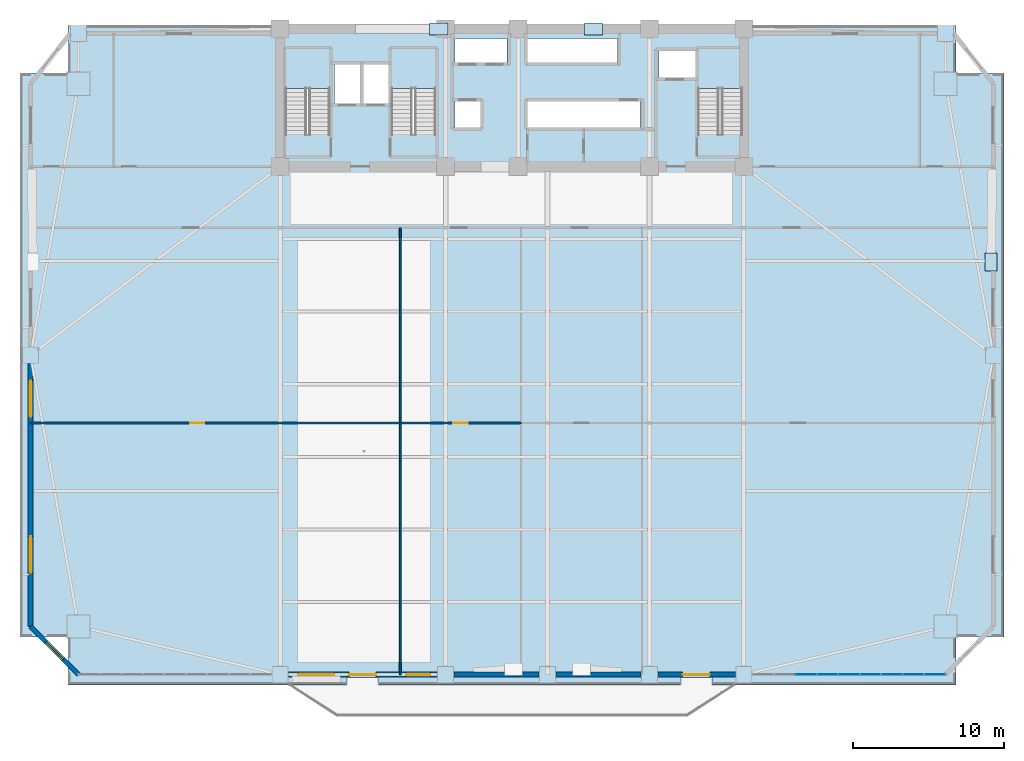
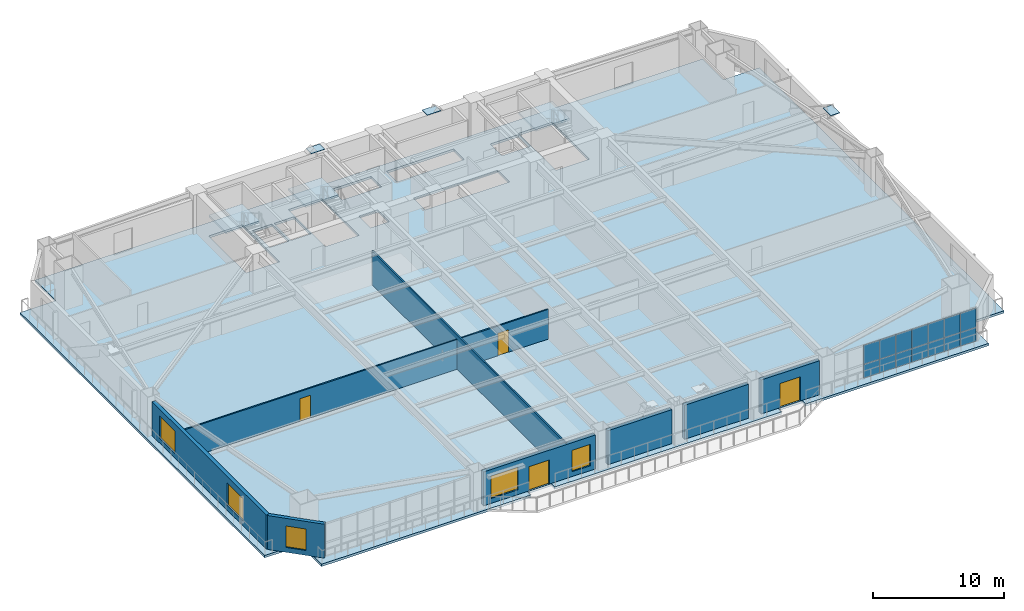
# One storey, part 8 of 17: 17 plates, 9 walls, 5 windows, 4 doors, 4 slabs, 9 openings, 4 elements without a shape of their own.
"""IFC4 building model written with IfcOpenShell, lengths in metres."""

from ifc_helpers import new_model, si_unit, direction, frame, frame_2d, origin, origin_2d, place, context, subcontext, project, spatial, polyline, rectangle, outline, extrude, source, transform, mapped, material, layer, layer_set, type_object, element, fill, aggregate, save


model = new_model("IFC4")

# Units and contexts
model_context = context("Model", 3, precision=1e-05, world=origin(), true_north=direction((0.0, 1.0)))
body_context = subcontext(model_context, "Body", "Model", "MODEL_VIEW")
ifc_project = project(units=[si_unit("LENGTHUNIT", "METRE"), si_unit("AREAUNIT", "SQUARE_METRE"), si_unit("VOLUMEUNIT", "CUBIC_METRE"), si_unit("PLANEANGLEUNIT", "RADIAN"), si_unit("MASSUNIT", "GRAM", prefix="KILO")], contexts=[model_context])

# Site, building, storey
site_placement = place(None, origin())
site = spatial("IfcSite", under=ifc_project, at=site_placement, CompositionType="ELEMENT")
building_placement = place(site_placement, origin())
building = spatial("IfcBuilding", under=site, at=building_placement, Name="Giltprow Tower", CompositionType="ELEMENT")
storey_placement = place(building_placement, frame((0.0, 0.0, 41.0)))
storey = spatial("IfcBuildingStorey", under=building, at=storey_placement, Name="L10", CompositionType="ELEMENT", Elevation=41.0)

# Slab
ifc_material_1 = material(Name="Concrete C40", Category="concrete")
ifc_layer_1 = layer(ifc_material_1, 0.219970703125, Name="Concrete C40")
ifc_layer_set_1 = layer_set([ifc_layer_1], Name="Concrete C40")
slab_type_1 = type_object("IfcSlabType", Name="SLB-OFF-220", PredefinedType="FLOOR", material=ifc_layer_set_1)
slab_1_placement = place(storey_placement, frame((0.0, 0.0, -0.219970703125)))
element("IfcSlab", 1, at=slab_1_placement, inside=storey, type_object=slab_type_1, Name="L10 Structural Composite Floor Slab", PredefinedType="FLOOR", context=body_context, shape_type="SweptSolid", body=[
    extrude(outline(polyline([(5.80908203125, 3.126953125), (5.80908203125, 6.300048828125), (2.635009765625, 6.300048828125), (2.635009765625, 43.6259765625), (5.80908203125, 43.6259765625), (5.80908203125, 46.800048828125), (64.591064453125, 46.800048828125), (64.591064453125, 43.6259765625), (67.764892578125, 43.6259765625), (67.764892578125, 6.300048828125), (64.591064453125, 6.300048828125), (64.591064453125, 3.126953125), (48.449951171875, 3.126953125), (48.449951171875, 3.64697265625), (46.35009765625, 3.64697265625), (46.35009765625, 3.126953125), (26.35009765625, 3.126953125), (26.35009765625, 3.64697265625), (24.25, 3.64697265625), (24.25, 3.126953125), (5.80908203125, 3.126953125)]), holes=[polyline([(33.10009765625, 41.800048828125), (31.419921875, 41.800048828125), (31.419921875, 40.0), (33.10009765625, 40.0), (33.10009765625, 41.800048828125)]), polyline([(23.159912109375, 39.570068359375), (23.159912109375, 45.25), (20.199951171875, 45.25), (20.199951171875, 39.570068359375), (23.159912109375, 39.570068359375)]), polyline([(30.159912109375, 45.25), (27.199951171875, 45.25), (27.199951171875, 39.570068359375), (30.159912109375, 39.570068359375), (30.159912109375, 45.25)]), polyline([(25.169921875, 41.60009765625), (25.169921875, 44.199951171875), (23.449951171875, 44.199951171875), (23.449951171875, 41.60009765625), (25.169921875, 41.60009765625)]), polyline([(27.10009765625, 41.60009765625), (27.10009765625, 44.199951171875), (25.35009765625, 44.199951171875), (25.35009765625, 41.60009765625), (27.10009765625, 41.60009765625)]), polyline([(43.659912109375, 40.0), (43.659912109375, 41.800048828125), (36.239990234375, 41.800048828125), (36.239990234375, 40.0), (43.659912109375, 40.0)]), polyline([(50.4599609375, 39.570068359375), (50.4599609375, 45.25), (47.5, 45.25), (47.5, 39.570068359375), (50.4599609375, 39.570068359375)]), polyline([(47.3798828125, 45.10009765625), (44.919921875, 45.10009765625), (44.919921875, 43.300048828125), (47.3798828125, 43.300048828125), (47.3798828125, 45.10009765625)]), polyline([(34.8798828125, 44.300048828125), (34.8798828125, 45.919921875), (31.419921875, 45.919921875), (31.419921875, 44.300048828125), (34.8798828125, 44.300048828125)]), polyline([(42.169921875, 44.300048828125), (42.169921875, 45.919921875), (36.239990234375, 45.919921875), (36.239990234375, 44.300048828125), (42.169921875, 44.300048828125)])]), origin(), (0.0, 0.0, 1.0), 0.219970703125),
])

# Stair, slab
stair_type_1 = type_object("IfcStairType", Name="STR-ST-1", PredefinedType="HALF_TURN_STAIR", material=ifc_material_1)
stair_1_placement = place(storey_placement, origin())
stair_1 = element("IfcStair", 2, at=stair_1_placement, inside=storey, type_object=stair_type_1, Name="L10 Core Exit Stair ST-1", PredefinedType="HALF_TURN_STAIR")
ifc_layer_2 = layer(ifc_material_1, 0.179931640625, Name="Concrete C40")
ifc_layer_set_2 = layer_set([ifc_layer_2], Name="Concrete C40")
slab_type_2 = type_object("IfcSlabType", Name="SLD-ST-1", PredefinedType="LANDING", material=ifc_layer_set_2)
slab_2_placement = place(storey_placement, frame((0.0, 0.0, 1.77001953125)))
slab_2 = element("IfcSlab", 3, at=slab_2_placement, type_object=slab_type_2, Name="ST-1 landing 1", PredefinedType="LANDING", context=body_context, shape_type="SweptSolid", body=[
    extrude(outline(polyline([(23.159912109375, 42.6298828125), (23.159912109375, 45.25), (20.199951171875, 45.25), (20.199951171875, 42.6298828125), (23.159912109375, 42.6298828125)])), origin(), (0.0, 0.0, 1.0), 0.179931640625),
])
aggregate(stair_1, [slab_2])

stair_type_2 = type_object("IfcStairType", Name="STR-ST-2", PredefinedType="HALF_TURN_STAIR", material=ifc_material_1)
stair_2_placement = place(storey_placement, origin())
stair_2 = element("IfcStair", 4, at=stair_2_placement, inside=storey, type_object=stair_type_2, Name="L10 Core Exit Stair ST-2", PredefinedType="HALF_TURN_STAIR")
ifc_layer_3 = layer(ifc_material_1, 0.18798828125, Name="Concrete C40")
ifc_layer_set_3 = layer_set([ifc_layer_3], Name="Concrete C40")
slab_type_3 = type_object("IfcSlabType", Name="SLD-ST-2", PredefinedType="LANDING", material=ifc_layer_set_3)
slab_3_placement = place(storey_placement, frame((0.0, 0.0, 1.761962890625)))
slab_3 = element("IfcSlab", 5, at=slab_3_placement, type_object=slab_type_3, Name="ST-2 landing 1", PredefinedType="LANDING", context=body_context, shape_type="SweptSolid", body=[
    extrude(outline(polyline([(30.159912109375, 42.6298828125), (30.159912109375, 45.25), (27.199951171875, 45.25), (27.199951171875, 42.6298828125), (30.159912109375, 42.6298828125)])), origin(), (0.0, 0.0, 1.0), 0.18798828125),
])
aggregate(stair_2, [slab_3])

stair_type_3 = type_object("IfcStairType", Name="STR-ST-3", PredefinedType="HALF_TURN_STAIR", material=ifc_material_1)
stair_3_placement = place(storey_placement, origin())
stair_3 = element("IfcStair", 6, at=stair_3_placement, inside=storey, type_object=stair_type_3, Name="L10 Core Exit Stair ST-3", PredefinedType="HALF_TURN_STAIR")
ifc_layer_4 = layer(ifc_material_1, 0.196044921875, Name="Concrete C40")
ifc_layer_set_4 = layer_set([ifc_layer_4], Name="Concrete C40")
slab_type_4 = type_object("IfcSlabType", Name="SLD-ST-3", PredefinedType="LANDING", material=ifc_layer_set_4)
slab_4_placement = place(storey_placement, frame((0.0, 0.0, 1.75390625)))
slab_4 = element("IfcSlab", 7, at=slab_4_placement, type_object=slab_type_4, Name="ST-3 landing 1", PredefinedType="LANDING", context=body_context, shape_type="SweptSolid", body=[
    extrude(outline(polyline([(50.4599609375, 42.6298828125), (50.4599609375, 45.25), (47.5, 45.25), (47.5, 42.6298828125), (50.4599609375, 42.6298828125)])), origin(), (0.0, 0.0, 1.0), 0.196044921875),
])
aggregate(stair_3, [slab_4])

# Plates
ifc_material_2 = material(Name="Structural steel Q420GJC", Category="steel")
plate_type_1 = type_object("IfcPlateType", Name="PLT-CAP-SEAL", PredefinedType="USERDEFINED", material=ifc_material_2)
shared_shape_1 = source(origin(), body_context, "Body", "SweptSolid", [
    extrude(rectangle(XDim=1.199951171875, YDim=0.800048828125, at=origin_2d()), origin(), (0.0, 0.0, 1.0), 0.034912109375),
])
for number, where, z_axis, x_axis, name in (
    (8, (30.35009765625, 46.550048828125, 3.74267578125), (0.0, 0.0, 1.0), (1.0, 0.0, 0.0), "Mega-Brace Node L10-N-LB"),
    (9, (40.5830078125, 46.550048828125, 3.74267578125), (0.0, 0.0, 1.0), (1.0, 0.0, 0.0), "Mega-Brace Node L10-N-RB"),
    (10, (66.907958984375, 31.126953125, 3.88232421875), (0.0, 0.0, 1.0), (0.0, 1.0, 0.0), "Mega-Brace Node L10-E-RB"),
):
    element("IfcPlate", number, at=place(storey_placement, frame(where, z_axis=z_axis, x_axis=x_axis)), inside=storey, type_object=plate_type_1, Name=name, ObjectType="SPLICE", PredefinedType="USERDEFINED", context=body_context, shape_type="MappedRepresentation", body=[
        mapped(shared_shape_1, transform((0.0, 0.0, 0.0), x_axis=(1.0, 0.0, 0.0), y_axis=(0.0, 1.0, 0.0), z_axis=(0.0, 0.0, 1.0), scale=1.0)),
    ])

# Curtain wall, plates
ifc_material_3 = material(Name="Anodized bronze", Category="metal")
ifc_layer_5 = layer(ifc_material_3, 0.179931640625, Name="Anodized bronze")
ifc_layer_set_5 = layer_set([ifc_layer_5], Name="Anodized bronze")
curtain_wall_type = type_object("IfcCurtainWallType", Name="CW-OFF-RECESSED", PredefinedType="NOTDEFINED", material=ifc_layer_set_5)
curtain_wall_placement = place(storey_placement, origin())
curtain_wall = element("IfcCurtainWall", 11, at=curtain_wall_placement, inside=storey, type_object=curtain_wall_type, Name="L10 South Recessed Curtain Wall 6", PredefinedType="NOTDEFINED")
ifc_material_4 = material(Name="Insulated glass", Category="glass")
plate_type_2 = type_object("IfcPlateType", Name="CW-PANEL-IGU-28", PredefinedType="CURTAIN_PANEL", material=ifc_material_4)
shared_shape_2 = source(origin(), body_context, "Body", "SweptSolid", [
    extrude(rectangle(XDim=1.39111328125, YDim=0.028076171875, at=origin_2d()), origin(), (0.0, 0.0, 1.0), 1.259033203125),
])
plate_1_placement = place(storey_placement, frame((54.653076171875, 3.826904296875, 0.0537109375), z_axis=(0.0, 0.0, 1.0), x_axis=(1.0, 0.0, 0.0)))
plate_1 = element("IfcPlate", 12, at=plate_1_placement, type_object=plate_type_2, Name="L10 South Recessed Curtain Wall 6 Glazing Panel 3-1", PredefinedType="CURTAIN_PANEL", context=body_context, shape_type="MappedRepresentation", body=[
    mapped(shared_shape_2, transform((0.0, 0.0, 0.0), x_axis=(1.0, 0.0, 0.0), y_axis=(0.0, 1.0, 0.0), z_axis=(0.0, 0.0, 1.0), scale=1.0)),
])
plate_2_placement = place(storey_placement, frame((56.073974609375, 3.826904296875, 0.0537109375), z_axis=(0.0, 0.0, 1.0), x_axis=(1.0, 0.0, 0.0)))
plate_2 = element("IfcPlate", 13, at=plate_2_placement, type_object=plate_type_2, Name="L10 South Recessed Curtain Wall 6 Glazing Panel 4-1", PredefinedType="CURTAIN_PANEL", context=body_context, shape_type="MappedRepresentation", body=[
    mapped(shared_shape_2, transform((0.0, 0.0, 0.0), x_axis=(1.0, 0.0, 0.0), y_axis=(0.0, 1.0, 0.0), z_axis=(0.0, 0.0, 1.0), scale=1.0)),
])
plate_3_placement = place(storey_placement, frame((57.4951171875, 3.826904296875, 0.0537109375), z_axis=(0.0, 0.0, 1.0), x_axis=(1.0, 0.0, 0.0)))
plate_3 = element("IfcPlate", 14, at=plate_3_placement, type_object=plate_type_2, Name="L10 South Recessed Curtain Wall 6 Glazing Panel 5-1", PredefinedType="CURTAIN_PANEL", context=body_context, shape_type="MappedRepresentation", body=[
    mapped(shared_shape_2, transform((0.0, 0.0, 0.0), x_axis=(1.0, 0.0, 0.0), y_axis=(0.0, 1.0, 0.0), z_axis=(0.0, 0.0, 1.0), scale=1.0)),
])
plate_4_placement = place(storey_placement, frame((58.9169921875, 3.826904296875, 0.0537109375), z_axis=(0.0, 0.0, 1.0), x_axis=(1.0, 0.0, 0.0)))
plate_4 = element("IfcPlate", 15, at=plate_4_placement, type_object=plate_type_2, Name="L10 South Recessed Curtain Wall 6 Glazing Panel 6-1", PredefinedType="CURTAIN_PANEL", context=body_context, shape_type="MappedRepresentation", body=[
    mapped(shared_shape_2, transform((0.0, 0.0, 0.0), x_axis=(1.0, 0.0, 0.0), y_axis=(0.0, 1.0, 0.0), z_axis=(0.0, 0.0, 1.0), scale=1.0)),
])
plate_5_placement = place(storey_placement, frame((60.337890625, 3.826904296875, 0.0537109375), z_axis=(0.0, 0.0, 1.0), x_axis=(1.0, 0.0, 0.0)))
plate_5 = element("IfcPlate", 16, at=plate_5_placement, type_object=plate_type_2, Name="L10 South Recessed Curtain Wall 6 Glazing Panel 7-1", PredefinedType="CURTAIN_PANEL", context=body_context, shape_type="MappedRepresentation", body=[
    mapped(shared_shape_2, transform((0.0, 0.0, 0.0), x_axis=(1.0, 0.0, 0.0), y_axis=(0.0, 1.0, 0.0), z_axis=(0.0, 0.0, 1.0), scale=1.0)),
])
plate_6_placement = place(storey_placement, frame((61.759033203125, 3.826904296875, 0.0537109375), z_axis=(0.0, 0.0, 1.0), x_axis=(1.0, 0.0, 0.0)))
plate_6 = element("IfcPlate", 17, at=plate_6_placement, type_object=plate_type_2, Name="L10 South Recessed Curtain Wall 6 Glazing Panel 8-1", PredefinedType="CURTAIN_PANEL", context=body_context, shape_type="MappedRepresentation", body=[
    mapped(shared_shape_2, transform((0.0, 0.0, 0.0), x_axis=(1.0, 0.0, 0.0), y_axis=(0.0, 1.0, 0.0), z_axis=(0.0, 0.0, 1.0), scale=1.0)),
])
plate_7_placement = place(storey_placement, frame((63.179931640625, 3.826904296875, 0.0537109375), z_axis=(0.0, 0.0, 1.0), x_axis=(1.0, 0.0, 0.0)))
plate_7 = element("IfcPlate", 18, at=plate_7_placement, type_object=plate_type_2, Name="L10 South Recessed Curtain Wall 6 Glazing Panel 9-1", PredefinedType="CURTAIN_PANEL", context=body_context, shape_type="MappedRepresentation", body=[
    mapped(shared_shape_2, transform((0.0, 0.0, 0.0), x_axis=(1.0, 0.0, 0.0), y_axis=(0.0, 1.0, 0.0), z_axis=(0.0, 0.0, 1.0), scale=1.0)),
])
shared_shape_3 = source(origin(), body_context, "Body", "SweptSolid", [
    extrude(rectangle(XDim=1.39111328125, YDim=0.028076171875, at=origin_2d()), origin(), (0.0, 0.0, 1.0), 1.764892578125),
])
plate_8_placement = place(storey_placement, frame((54.653076171875, 3.826904296875, 1.341796875), z_axis=(0.0, 0.0, 1.0), x_axis=(1.0, 0.0, 0.0)))
plate_8 = element("IfcPlate", 19, at=plate_8_placement, type_object=plate_type_2, Name="L10 South Recessed Curtain Wall 6 Glazing Panel 3-2", PredefinedType="CURTAIN_PANEL", context=body_context, shape_type="MappedRepresentation", body=[
    mapped(shared_shape_3, transform((0.0, 0.0, 0.0), x_axis=(1.0, 0.0, 0.0), y_axis=(0.0, 1.0, 0.0), z_axis=(0.0, 0.0, 1.0), scale=1.0)),
])
plate_9_placement = place(storey_placement, frame((56.073974609375, 3.826904296875, 1.341796875), z_axis=(0.0, 0.0, 1.0), x_axis=(1.0, 0.0, 0.0)))
plate_9 = element("IfcPlate", 20, at=plate_9_placement, type_object=plate_type_2, Name="L10 South Recessed Curtain Wall 6 Glazing Panel 4-2", PredefinedType="CURTAIN_PANEL", context=body_context, shape_type="MappedRepresentation", body=[
    mapped(shared_shape_3, transform((0.0, 0.0, 0.0), x_axis=(1.0, 0.0, 0.0), y_axis=(0.0, 1.0, 0.0), z_axis=(0.0, 0.0, 1.0), scale=1.0)),
])
plate_10_placement = place(storey_placement, frame((57.4951171875, 3.826904296875, 1.341796875), z_axis=(0.0, 0.0, 1.0), x_axis=(1.0, 0.0, 0.0)))
plate_10 = element("IfcPlate", 21, at=plate_10_placement, type_object=plate_type_2, Name="L10 South Recessed Curtain Wall 6 Glazing Panel 5-2", PredefinedType="CURTAIN_PANEL", context=body_context, shape_type="MappedRepresentation", body=[
    mapped(shared_shape_3, transform((0.0, 0.0, 0.0), x_axis=(1.0, 0.0, 0.0), y_axis=(0.0, 1.0, 0.0), z_axis=(0.0, 0.0, 1.0), scale=1.0)),
])
plate_11_placement = place(storey_placement, frame((58.9169921875, 3.826904296875, 1.341796875), z_axis=(0.0, 0.0, 1.0), x_axis=(1.0, 0.0, 0.0)))
plate_11 = element("IfcPlate", 22, at=plate_11_placement, type_object=plate_type_2, Name="L10 South Recessed Curtain Wall 6 Glazing Panel 6-2", PredefinedType="CURTAIN_PANEL", context=body_context, shape_type="MappedRepresentation", body=[
    mapped(shared_shape_3, transform((0.0, 0.0, 0.0), x_axis=(1.0, 0.0, 0.0), y_axis=(0.0, 1.0, 0.0), z_axis=(0.0, 0.0, 1.0), scale=1.0)),
])
plate_12_placement = place(storey_placement, frame((60.337890625, 3.826904296875, 1.341796875), z_axis=(0.0, 0.0, 1.0), x_axis=(1.0, 0.0, 0.0)))
plate_12 = element("IfcPlate", 23, at=plate_12_placement, type_object=plate_type_2, Name="L10 South Recessed Curtain Wall 6 Glazing Panel 7-2", PredefinedType="CURTAIN_PANEL", context=body_context, shape_type="MappedRepresentation", body=[
    mapped(shared_shape_3, transform((0.0, 0.0, 0.0), x_axis=(1.0, 0.0, 0.0), y_axis=(0.0, 1.0, 0.0), z_axis=(0.0, 0.0, 1.0), scale=1.0)),
])
plate_13_placement = place(storey_placement, frame((61.759033203125, 3.826904296875, 1.341796875), z_axis=(0.0, 0.0, 1.0), x_axis=(1.0, 0.0, 0.0)))
plate_13 = element("IfcPlate", 24, at=plate_13_placement, type_object=plate_type_2, Name="L10 South Recessed Curtain Wall 6 Glazing Panel 8-2", PredefinedType="CURTAIN_PANEL", context=body_context, shape_type="MappedRepresentation", body=[
    mapped(shared_shape_3, transform((0.0, 0.0, 0.0), x_axis=(1.0, 0.0, 0.0), y_axis=(0.0, 1.0, 0.0), z_axis=(0.0, 0.0, 1.0), scale=1.0)),
])
plate_14_placement = place(storey_placement, frame((63.179931640625, 3.826904296875, 1.341796875), z_axis=(0.0, 0.0, 1.0), x_axis=(1.0, 0.0, 0.0)))
plate_14 = element("IfcPlate", 25, at=plate_14_placement, type_object=plate_type_2, Name="L10 South Recessed Curtain Wall 6 Glazing Panel 9-2", PredefinedType="CURTAIN_PANEL", context=body_context, shape_type="MappedRepresentation", body=[
    mapped(shared_shape_3, transform((0.0, 0.0, 0.0), x_axis=(1.0, 0.0, 0.0), y_axis=(0.0, 1.0, 0.0), z_axis=(0.0, 0.0, 1.0), scale=1.0)),
])
aggregate(curtain_wall, [plate_1, plate_8, plate_2, plate_9, plate_3, plate_10, plate_4, plate_11, plate_5, plate_12, plate_6, plate_13, plate_7, plate_14])

# Wall, opening, window
ifc_material_5 = material(Name="Precast concrete C40", Category="concrete")
ifc_layer_6 = layer(ifc_material_5, 0.300048828125, Name="Precast concrete C40")
ifc_layer_set_6 = layer_set([ifc_layer_6], Name="Precast concrete C40")
wall_type_1 = type_object("IfcWallType", Name="EW-NOTCH-CHAMFER-300", PredefinedType="SOLIDWALL", material=ifc_layer_set_6)
wall_1_placement = place(storey_placement, frame((3.3349609375, 7.0009765625, 0.0), z_axis=(0.0, 0.0, 1.0), x_axis=(0.707106781187, -0.707106781187, 0.0)))
wall_1 = element("IfcWall", 26, at=wall_1_placement, inside=storey, type_object=wall_type_1, Name="L10 Corner Notch Wall SW", PredefinedType="SOLIDWALL", context=body_context, shape_type="SweptSolid", body=[
    extrude(rectangle(XDim=4.48876953125, YDim=0.300048828125, at=frame_2d((2.244384765625, 0.0))), origin(), (0.0, 0.0, 1.0), 3.159912109375),
])
opening_1_placement = place(wall_1_placement, frame((1.444091796875, 0.0, 0.449951171875)))
opening_1 = element("IfcOpeningElement", 27, at=opening_1_placement, cuts=wall_1, Name="Opening WN17", PredefinedType="OPENING", context=body_context, shape_type="SweptSolid", body=[
    extrude(rectangle(XDim=1.60009765625, YDim=2.0, at=frame_2d((0.800048828125, 1.0))), frame((0.0, 0.159912109375, 0.0), z_axis=(0.0, -1.0, 0.0), x_axis=(1.0, 0.0, 0.0)), (0.0, 0.0, 1.0), 0.320068359375),
])
window_type_1 = type_object("IfcWindowType", Name="WN-COR-1600x2000", PartitioningType="SINGLE_PANEL", PredefinedType="WINDOW", material=ifc_material_4)
shared_shape_4 = source(origin(), body_context, "Body", "SweptSolid", [
    extrude(rectangle(XDim=1.60009765625, YDim=2.0, at=frame_2d((0.800048828125, 1.0))), frame((0.0, 0.030029296875, 0.0), z_axis=(0.0, -1.0, 0.0), x_axis=(1.0, 0.0, 0.0)), (0.0, 0.0, 1.0), 0.06005859375),
])
window_1_placement = place(opening_1_placement, origin())
window_1 = element("IfcWindow", 28, at=window_1_placement, inside=storey, type_object=window_type_1, Name="L10 Corner Notch Window SW", OverallHeight=2.0, OverallWidth=1.60009765625, PartitioningType="SINGLE_PANEL", PredefinedType="WINDOW", context=body_context, shape_type="MappedRepresentation", body=[
    mapped(shared_shape_4, transform((0.0, 0.0, 0.0), x_axis=(1.0, 0.0, 0.0), y_axis=(0.0, 1.0, 0.0), z_axis=(0.0, 0.0, 1.0), scale=1.0)),
])
fill(opening_1, window_1)

# Wall, openings, windows, door
ifc_layer_7 = layer(ifc_material_5, 0.320068359375, Name="Precast concrete C40")
ifc_layer_set_7 = layer_set([ifc_layer_7], Name="Precast concrete C40")
wall_type_2 = type_object("IfcWallType", Name="EW-TOW-STONE-320", PredefinedType="SOLIDWALL", material=ifc_layer_set_7)
wall_2_placement = place(storey_placement, frame((20.39990234375, 3.826904296875, 0.0), z_axis=(0.0, 0.0, 1.0), x_axis=(1.0, 0.0, 0.0)))
wall_2 = element("IfcWall", 29, at=wall_2_placement, inside=storey, type_object=wall_type_2, Name="L10 South Expressed Frame Wall 2", PredefinedType="SOLIDWALL", context=body_context, shape_type="SweptSolid", body=[
    extrude(rectangle(XDim=9.85009765625, YDim=0.320068359375, at=frame_2d((4.925048828125, 0.0))), origin(), (0.0, 0.0, 1.0), 3.159912109375),
])
opening_2_placement = place(wall_2_placement, frame((4.0, 0.0, 0.0)))
opening_2 = element("IfcOpeningElement", 30, at=opening_2_placement, cuts=wall_2, Name="Opening ED25", PredefinedType="OPENING", context=body_context, shape_type="SweptSolid", body=[
    extrude(rectangle(XDim=1.800048828125, YDim=2.25, at=frame_2d((0.89990234375, 1.125))), frame((0.0, 0.169921875, 0.0), z_axis=(0.0, -1.0, 0.0), x_axis=(1.0, 0.0, 0.0)), (0.0, 0.0, 1.0), 0.340087890625),
])
opening_3_placement = place(wall_2_placement, frame((0.64990234375, 0.0, 0.449951171875)))
opening_3 = element("IfcOpeningElement", 31, at=opening_3_placement, cuts=wall_2, Name="Opening WN29", PredefinedType="OPENING", context=body_context, shape_type="SweptSolid", body=[
    extrude(rectangle(XDim=2.39990234375, YDim=2.10009765625, at=frame_2d((1.199951171875, 1.050048828125))), frame((0.0, 0.169921875, 0.0), z_axis=(0.0, -1.0, 0.0), x_axis=(1.0, 0.0, 0.0)), (0.0, 0.0, 1.0), 0.340087890625),
])
opening_4_placement = place(wall_2_placement, frame((7.800048828125, 0.0, 0.449951171875)))
opening_4 = element("IfcOpeningElement", 32, at=opening_4_placement, cuts=wall_2, Name="Opening WN17", PredefinedType="OPENING", context=body_context, shape_type="SweptSolid", body=[
    extrude(rectangle(XDim=1.60009765625, YDim=2.0, at=frame_2d((0.800048828125, 1.0))), frame((0.0, 0.169921875, 0.0), z_axis=(0.0, -1.0, 0.0), x_axis=(1.0, 0.0, 0.0)), (0.0, 0.0, 1.0), 0.340087890625),
])
window_type_2 = type_object("IfcWindowType", Name="WN-OFF-2400x2100", PartitioningType="DOUBLE_PANEL_VERTICAL", PredefinedType="WINDOW", material=ifc_material_4)
shared_shape_5 = source(origin(), body_context, "Body", "SweptSolid", [
    extrude(rectangle(XDim=2.39990234375, YDim=2.10009765625, at=frame_2d((1.199951171875, 1.050048828125))), frame((0.0, 0.030029296875, 0.0), z_axis=(0.0, -1.0, 0.0), x_axis=(1.0, 0.0, 0.0)), (0.0, 0.0, 1.0), 0.06005859375),
])
window_2_placement = place(opening_3_placement, origin())
window_2 = element("IfcWindow", 33, at=window_2_placement, inside=storey, type_object=window_type_2, Name="L10 South Window 2A", OverallHeight=2.10009765625, OverallWidth=2.39990234375, PartitioningType="SINGLE_PANEL", PredefinedType="WINDOW", context=body_context, shape_type="MappedRepresentation", body=[
    mapped(shared_shape_5, transform((0.0, 0.0, 0.0), x_axis=(1.0, 0.0, 0.0), y_axis=(0.0, 1.0, 0.0), z_axis=(0.0, 0.0, 1.0), scale=1.0)),
])
fill(opening_3, window_2)
window_3_placement = place(opening_4_placement, origin())
window_3 = element("IfcWindow", 34, at=window_3_placement, inside=storey, type_object=window_type_1, Name="L10 South Window 2B", OverallHeight=2.0, OverallWidth=1.60009765625, PartitioningType="SINGLE_PANEL", PredefinedType="WINDOW", context=body_context, shape_type="MappedRepresentation", body=[
    mapped(shared_shape_4, transform((0.0, 0.0, 0.0), x_axis=(1.0, 0.0, 0.0), y_axis=(0.0, 1.0, 0.0), z_axis=(0.0, 0.0, 1.0), scale=1.0)),
])
fill(opening_4, window_3)
ifc_material_6 = material(Name="Anodized bronze and glass", Category="glass")
door_type_1 = type_object("IfcDoorType", Name="DR-BALC-SLIDE-1800", OperationType="SLIDING_TO_LEFT", PredefinedType="DOOR", material=ifc_material_6)
shared_shape_6 = source(origin(), body_context, "Body", "SweptSolid", [
    extrude(rectangle(XDim=1.800048828125, YDim=2.25, at=frame_2d((0.89990234375, 1.125))), frame((0.0, 0.02490234375, 0.0), z_axis=(0.0, -1.0, 0.0), x_axis=(1.0, 0.0, 0.0)), (0.0, 0.0, 1.0), 0.050048828125),
])
door_1_placement = place(opening_2_placement, origin())
door_1 = element("IfcDoor", 35, at=door_1_placement, inside=storey, type_object=door_type_1, Name="L10 Waterfront Balcony Sliding Door 1", OperationType="SLIDING_TO_LEFT", OverallHeight=2.25, OverallWidth=1.800048828125, PredefinedType="DOOR", context=body_context, shape_type="MappedRepresentation", body=[
    mapped(shared_shape_6, transform((0.0, 0.0, 0.0), x_axis=(1.0, 0.0, 0.0), y_axis=(0.0, 1.0, 0.0), z_axis=(0.0, 0.0, 1.0), scale=1.0)),
])
fill(opening_2, door_1)

# Walls
for number, where, z_axis, x_axis, name in (
    (36, (31.35009765625, 3.826904296875, 0.0), (0.0, 0.0, 1.0), (1.0, 0.0, 0.0), "L10 South Expressed Frame Wall 3"),
    (37, (38.10009765625, 3.826904296875, 0.0), (0.0, 0.0, 1.0), (1.0, 0.0, 0.0), "L10 South Expressed Frame Wall 4"),
):
    element("IfcWall", number, at=place(storey_placement, frame(where, z_axis=z_axis, x_axis=x_axis)), inside=storey, type_object=wall_type_2, Name=name, PredefinedType="SOLIDWALL", context=body_context, shape_type="SweptSolid", body=[
        extrude(rectangle(XDim=5.64990234375, YDim=0.320068359375, at=frame_2d((2.824951171875, 0.0))), origin(), (0.0, 0.0, 1.0), 3.159912109375),
    ])

# Wall, opening, door
wall_3_placement = place(storey_placement, frame((44.85009765625, 3.826904296875, 0.0), z_axis=(0.0, 0.0, 1.0), x_axis=(1.0, 0.0, 0.0)))
wall_3 = element("IfcWall", 38, at=wall_3_placement, inside=storey, type_object=wall_type_2, Name="L10 South Expressed Frame Wall 5", PredefinedType="SOLIDWALL", context=body_context, shape_type="SweptSolid", body=[
    extrude(rectangle(XDim=5.14990234375, YDim=0.320068359375, at=frame_2d((2.574951171875, 0.0))), origin(), (0.0, 0.0, 1.0), 3.159912109375),
])
opening_5_placement = place(wall_3_placement, frame((1.64990234375, 0.0, 0.0)))
opening_5 = element("IfcOpeningElement", 39, at=opening_5_placement, cuts=wall_3, Name="Opening ED25", PredefinedType="OPENING", context=body_context, shape_type="SweptSolid", body=[
    extrude(rectangle(XDim=1.800048828125, YDim=2.25, at=frame_2d((0.89990234375, 1.125))), frame((0.0, 0.169921875, 0.0), z_axis=(0.0, -1.0, 0.0), x_axis=(1.0, 0.0, 0.0)), (0.0, 0.0, 1.0), 0.340087890625),
])
door_2_placement = place(opening_5_placement, origin())
door_2 = element("IfcDoor", 40, at=door_2_placement, inside=storey, type_object=door_type_1, Name="L10 Waterfront Balcony Sliding Door 2", OperationType="SLIDING_TO_LEFT", OverallHeight=2.25, OverallWidth=1.800048828125, PredefinedType="DOOR", context=body_context, shape_type="MappedRepresentation", body=[
    mapped(shared_shape_6, transform((0.0, 0.0, 0.0), x_axis=(1.0, 0.0, 0.0), y_axis=(0.0, 1.0, 0.0), z_axis=(0.0, 0.0, 1.0), scale=1.0)),
])
fill(opening_5, door_2)

# Wall, openings, windows
wall_4_placement = place(storey_placement, frame((3.3349609375, 7.0009765625, 0.0), z_axis=(0.0, 0.0, 1.0), x_axis=(0.0, 1.0, 0.0)))
wall_4 = element("IfcWall", 41, at=wall_4_placement, inside=storey, type_object=wall_type_2, Name="L10 W Wing Masonry Wall 1", PredefinedType="SOLIDWALL", context=body_context, shape_type="SweptSolid", body=[
    extrude(rectangle(XDim=17.412109375, YDim=0.320068359375, at=frame_2d((8.7060546875, 0.0))), origin(), (0.0, 0.0, 1.0), 3.159912109375),
])
opening_6_placement = place(wall_4_placement, frame((3.56689453125, 0.0, 0.449951171875)))
opening_6 = element("IfcOpeningElement", 42, at=opening_6_placement, cuts=wall_4, Name="Opening WN29", PredefinedType="OPENING", context=body_context, shape_type="SweptSolid", body=[
    extrude(rectangle(XDim=2.39990234375, YDim=2.10009765625, at=frame_2d((1.199951171875, 1.050048828125))), frame((0.0, 0.169921875, 0.0), z_axis=(0.0, -1.0, 0.0), x_axis=(1.0, 0.0, 0.0)), (0.0, 0.0, 1.0), 0.340087890625),
])
opening_7_placement = place(wall_4_placement, frame((13.875, 0.0, 0.449951171875)))
opening_7 = element("IfcOpeningElement", 43, at=opening_7_placement, cuts=wall_4, Name="Opening WN29", PredefinedType="OPENING", context=body_context, shape_type="SweptSolid", body=[
    extrude(rectangle(XDim=2.39990234375, YDim=2.10009765625, at=frame_2d((1.199951171875, 1.050048828125))), frame((0.0, 0.169921875, 0.0), z_axis=(0.0, -1.0, 0.0), x_axis=(1.0, 0.0, 0.0)), (0.0, 0.0, 1.0), 0.340087890625),
])
window_4_placement = place(opening_6_placement, origin())
window_4 = element("IfcWindow", 44, at=window_4_placement, inside=storey, type_object=window_type_2, Name="L10 W Wing Window 1-1A", OverallHeight=2.10009765625, OverallWidth=2.39990234375, PartitioningType="SINGLE_PANEL", PredefinedType="WINDOW", context=body_context, shape_type="MappedRepresentation", body=[
    mapped(shared_shape_5, transform((0.0, 0.0, 0.0), x_axis=(1.0, 0.0, 0.0), y_axis=(0.0, 1.0, 0.0), z_axis=(0.0, 0.0, 1.0), scale=1.0)),
])
fill(opening_6, window_4)
window_5_placement = place(opening_7_placement, origin())
window_5 = element("IfcWindow", 45, at=window_5_placement, inside=storey, type_object=window_type_2, Name="L10 W Wing Window 1-1B", OverallHeight=2.10009765625, OverallWidth=2.39990234375, PartitioningType="SINGLE_PANEL", PredefinedType="WINDOW", context=body_context, shape_type="MappedRepresentation", body=[
    mapped(shared_shape_5, transform((0.0, 0.0, 0.0), x_axis=(1.0, 0.0, 0.0), y_axis=(0.0, 1.0, 0.0), z_axis=(0.0, 0.0, 1.0), scale=1.0)),
])
fill(opening_7, window_5)

# Wall, opening, door
ifc_material_7 = material(Name="Gypsum stud partition", Category="gypsum")
ifc_layer_8 = layer(ifc_material_7, 0.1201171875, Name="Gypsum stud partition")
ifc_layer_set_8 = layer_set([ifc_layer_8], Name="Gypsum stud partition")
wall_type_3 = type_object("IfcWallType", Name="IW-ROOM-120", PredefinedType="PARTITIONING", material=ifc_layer_set_8)
wall_5_placement = place(storey_placement, frame((3.3349609375, 20.47607421875, 0.0), z_axis=(0.0, 0.0, 1.0), x_axis=(1.0, 0.0, 0.0)))
wall_5 = element("IfcWall", 46, at=wall_5_placement, inside=storey, type_object=wall_type_3, Name="L10 Office Mid Wall 1", PredefinedType="PARTITIONING", context=body_context, shape_type="SweptSolid", body=[
    extrude(rectangle(XDim=24.465087890625, YDim=0.1201171875, at=frame_2d((12.232421875, 0.0))), origin(), (0.0, 0.0, 1.0), 2.764892578125),
])
opening_8_placement = place(wall_5_placement, frame((10.553955078125, 0.0, 0.0)))
opening_8 = element("IfcOpeningElement", 47, at=opening_8_placement, cuts=wall_5, Name="Opening ID11", PredefinedType="OPENING", context=body_context, shape_type="SweptSolid", body=[
    extrude(rectangle(XDim=0.949951171875, YDim=2.10009765625, at=frame_2d((0.47509765625, 1.050048828125))), frame((0.0, 0.070068359375, 0.0), z_axis=(0.0, -1.0, 0.0), x_axis=(1.0, 0.0, 0.0)), (0.0, 0.0, 1.0), 0.14013671875),
])
ifc_material_8 = material(Name="Engineered timber", Category="wood")
door_type_2 = type_object("IfcDoorType", Name="DR-ROOM-950", OperationType="SINGLE_SWING_RIGHT", PredefinedType="DOOR", material=ifc_material_8)
shared_shape_7 = source(origin(), body_context, "Body", "SweptSolid", [
    extrude(rectangle(XDim=0.949951171875, YDim=2.10009765625, at=frame_2d((0.47509765625, 1.050048828125))), frame((0.0, 0.02490234375, 0.0), z_axis=(0.0, -1.0, 0.0), x_axis=(1.0, 0.0, 0.0)), (0.0, 0.0, 1.0), 0.050048828125),
])
door_3_placement = place(opening_8_placement, origin())
door_3 = element("IfcDoor", 48, at=door_3_placement, inside=storey, type_object=door_type_2, Name="L10 Records Archive Store 1 Inner Door", OperationType="SINGLE_SWING_LEFT", OverallHeight=2.10009765625, OverallWidth=0.949951171875, PredefinedType="DOOR", context=body_context, shape_type="MappedRepresentation", body=[
    mapped(shared_shape_7, transform((0.0, 0.0, 0.0), x_axis=(1.0, 0.0, 0.0), y_axis=(0.0, 1.0, 0.0), z_axis=(0.0, 0.0, 1.0), scale=1.0)),
])
fill(opening_8, door_3)

# Wall
wall_6_placement = place(storey_placement, frame((27.800048828125, 3.826904296875, 0.0), z_axis=(0.0, 0.0, 1.0), x_axis=(0.0, 1.0, 0.0)))
element("IfcWall", 49, at=wall_6_placement, inside=storey, type_object=wall_type_3, Name="L10 Office Partition 1", PredefinedType="PARTITIONING", context=body_context, shape_type="SweptSolid", body=[
    extrude(rectangle(XDim=29.572998046875, YDim=0.1201171875, at=frame_2d((14.78662109375, 0.0))), origin(), (0.0, 0.0, 1.0), 3.1650390625),
])

# Wall, opening, door
wall_7_placement = place(storey_placement, frame((27.800048828125, 20.47607421875, 0.0), z_axis=(0.0, 0.0, 1.0), x_axis=(1.0, 0.0, 0.0)))
wall_7 = element("IfcWall", 50, at=wall_7_placement, inside=storey, type_object=wall_type_3, Name="L10 Office Mid Wall 2", PredefinedType="PARTITIONING", context=body_context, shape_type="SweptSolid", body=[
    extrude(rectangle(XDim=8.0, YDim=0.1201171875, at=frame_2d((4.0, 0.0))), origin(), (0.0, 0.0, 1.0), 2.764892578125),
])
opening_9_placement = place(wall_7_placement, frame((3.52294921875, 0.0, 0.0)))
opening_9 = element("IfcOpeningElement", 51, at=opening_9_placement, cuts=wall_7, Name="Opening ID11", PredefinedType="OPENING", context=body_context, shape_type="SweptSolid", body=[
    extrude(rectangle(XDim=0.949951171875, YDim=2.10009765625, at=frame_2d((0.47509765625, 1.050048828125))), frame((0.0, 0.070068359375, 0.0), z_axis=(0.0, -1.0, 0.0), x_axis=(1.0, 0.0, 0.0)), (0.0, 0.0, 1.0), 0.14013671875),
])
door_4_placement = place(opening_9_placement, origin())
door_4 = element("IfcDoor", 52, at=door_4_placement, inside=storey, type_object=door_type_2, Name="L10 Vault Registry Store 2 Inner Door", OperationType="SINGLE_SWING_LEFT", OverallHeight=2.10009765625, OverallWidth=0.949951171875, PredefinedType="DOOR", context=body_context, shape_type="MappedRepresentation", body=[
    mapped(shared_shape_7, transform((0.0, 0.0, 0.0), x_axis=(1.0, 0.0, 0.0), y_axis=(0.0, 1.0, 0.0), z_axis=(0.0, 0.0, 1.0), scale=1.0)),
])
fill(opening_9, door_4)

save(model, "model.ifc")
